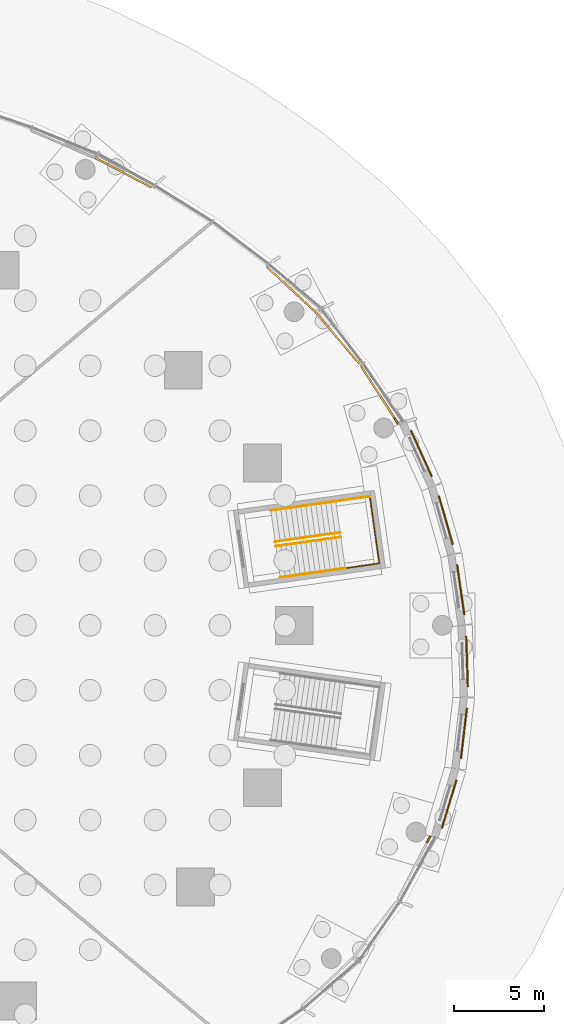
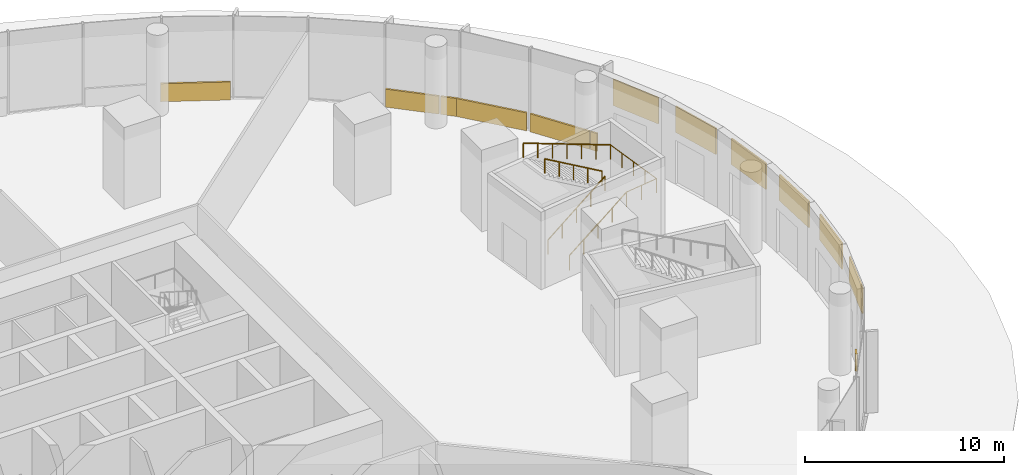
# One storey, part 28 of 29: 13 coverings, 5 railings.
"""IFC4 building model written with IfcOpenShell, lengths in metres."""

from ifc_helpers import new_model, si_unit, direction, frame, origin, origin_2d, place, context, subcontext, project, spatial, rectangle, circle, extrude, material, layer, layer_set, type_object, element, save


model = new_model("IFC4")

# Units and contexts
model_context = context("Model", 3, precision=1e-05, world=origin(), true_north=direction((0.0, 1.0)))
body_context = subcontext(model_context, "Body", "Model", "MODEL_VIEW")
ifc_project = project(units=[si_unit("LENGTHUNIT", "METRE"), si_unit("AREAUNIT", "SQUARE_METRE"), si_unit("VOLUMEUNIT", "CUBIC_METRE"), si_unit("PLANEANGLEUNIT", "RADIAN"), si_unit("MASSUNIT", "GRAM", prefix="KILO")], contexts=[model_context])

# Site, building, storey
site_placement = place(None, origin())
site = spatial("IfcSite", under=ifc_project, at=site_placement, CompositionType="ELEMENT")
building_placement = place(site_placement, origin())
building = spatial("IfcBuilding", under=site, at=building_placement, Name="Ghaith Harvest Tower", CompositionType="ELEMENT")
storey_placement = place(building_placement, origin())
storey = spatial("IfcBuildingStorey", under=building, at=storey_placement, Name="L00", CompositionType="ELEMENT", Elevation=0.0)

# Railings
ifc_material_1 = material(Name="Steel, black powder-coated", Category="steel")
railing_type = type_object("IfcRailingType", Name="HANDRAIL HR1", PredefinedType="HANDRAIL", material=ifc_material_1)
railing_1_placement = place(storey_placement, frame((31.8994140625, 4.39111328125, 0.178466796875)))
element("IfcRailing", 1, at=railing_1_placement, inside=storey, type_object=railing_type, Name="Handrail HR1 stair PS1 L00 flight 1 inner", PredefinedType="HANDRAIL", context=body_context, shape_type="SweptSolid", body=[
    extrude(circle(Radius=0.02392578125, at=origin_2d()), frame((0.0, 0.0, 0.8759765625), z_axis=(0.834784375855, 0.118245097542, 0.537729618615), x_axis=(-0.140247497288, 0.990116477746, 0.0)), (0.0, 0.0, 1.0), 4.3173828125),
    extrude(circle(Radius=0.02099609375, at=origin_2d()), origin(), (0.0, 0.0, 1.0), 0.851806640625),
    extrude(circle(Radius=0.02099609375, at=origin_2d()), frame((0.90087890625, 0.127685546875, 0.580322265625)), (0.0, 0.0, 1.0), 0.851806640625),
    extrude(circle(Radius=0.02099609375, at=origin_2d()), frame((1.802001953125, 0.25537109375, 1.16064453125)), (0.0, 0.0, 1.0), 0.851806640625),
    extrude(circle(Radius=0.02099609375, at=origin_2d()), frame((2.703125, 0.3828125, 1.7412109375)), (0.0, 0.0, 1.0), 0.851806640625),
    extrude(circle(Radius=0.02099609375, at=origin_2d()), frame((3.60400390625, 0.510498046875, 2.321533203125)), (0.0, 0.0, 1.0), 0.851806640625),
])
railing_2_placement = place(storey_placement, frame((35.468505859375, 5.14892578125, 2.678466796875)))
element("IfcRailing", 2, at=railing_2_placement, inside=storey, type_object=railing_type, Name="Handrail HR1 stair PS1 L00 flight 2 inner", PredefinedType="HANDRAIL", context=body_context, shape_type="SweptSolid", body=[
    extrude(circle(Radius=0.02392578125, at=origin_2d()), frame((0.0, 0.0, 0.8759765625), z_axis=(-0.834789956534, -0.118189338108, 0.537733213432), x_axis=(0.140181743649, -0.990125789356, 0.0)), (0.0, 0.0, 1.0), 4.317138671875),
    extrude(circle(Radius=0.02099609375, at=origin_2d()), origin(), (0.0, 0.0, 1.0), 0.851806640625),
    extrude(circle(Radius=0.02099609375, at=origin_2d()), frame((-0.90087890625, -0.12744140625, 0.580322265625)), (0.0, 0.0, 1.0), 0.851806640625),
    extrude(circle(Radius=0.02099609375, at=origin_2d()), frame((-1.802001953125, -0.255126953125, 1.16064453125)), (0.0, 0.0, 1.0), 0.851806640625),
    extrude(circle(Radius=0.02099609375, at=origin_2d()), frame((-2.703125, -0.3828125, 1.7412109375)), (0.0, 0.0, 1.0), 0.851806640625),
    extrude(circle(Radius=0.02099609375, at=origin_2d()), frame((-3.60400390625, -0.51025390625, 2.321533203125)), (0.0, 0.0, 1.0), 0.851806640625),
])
railing_3_placement = place(storey_placement, frame((32.144775390625, 2.658447265625, 0.178466796875)))
element("IfcRailing", 3, at=railing_3_placement, inside=storey, type_object=railing_type, Name="Handrail HR1 stair PS1 L00 wall side flight 1", PredefinedType="HANDRAIL", context=body_context, shape_type="SweptSolid", body=[
    extrude(circle(Radius=0.02392578125, at=origin_2d()), frame((0.0, 0.0, 0.8759765625), z_axis=(0.834789956534, 0.118189338108, 0.537733213432), x_axis=(-0.140181743649, 0.990125789356, 0.0)), (0.0, 0.0, 1.0), 4.317138671875),
    extrude(circle(Radius=0.02099609375, at=origin_2d()), origin(), (0.0, 0.0, 1.0), 0.851806640625),
    extrude(circle(Radius=0.02099609375, at=origin_2d()), frame((0.90087890625, 0.12744140625, 0.580322265625)), (0.0, 0.0, 1.0), 0.851806640625),
    extrude(circle(Radius=0.02099609375, at=origin_2d()), frame((1.802001953125, 0.255126953125, 1.16064453125)), (0.0, 0.0, 1.0), 0.851806640625),
    extrude(circle(Radius=0.02099609375, at=origin_2d()), frame((2.703125, 0.3828125, 1.7412109375)), (0.0, 0.0, 1.0), 0.851806640625),
    extrude(circle(Radius=0.02099609375, at=origin_2d()), frame((3.60400390625, 0.51025390625, 2.321533203125)), (0.0, 0.0, 1.0), 0.851806640625),
])
railing_4_placement = place(storey_placement, frame((35.748779296875, 3.168701171875, 2.5)))
element("IfcRailing", 4, at=railing_4_placement, inside=storey, type_object=railing_type, Name="Handrail HR1 stair PS1 L00 wall side half landing", PredefinedType="HANDRAIL", context=body_context, shape_type="SweptSolid", body=[
    extrude(circle(Radius=0.02392578125, at=origin_2d()), frame((0.0, 0.0, 0.8759765625), z_axis=(0.990120050938, 0.140222269026, 0.0), x_axis=(-0.140222269026, 0.990120050938, 0.0)), (0.0, 0.0, 1.0), 1.909912109375),
    extrude(circle(Radius=0.02392578125, at=origin_2d()), frame((1.89111328125, 0.267822265625, 0.8759765625), z_axis=(-0.140172516892, 0.990127095634, 0.0), x_axis=(-0.990127095634, -0.140172516892, 0.0)), (0.0, 0.0, 1.0), 3.75),
    extrude(circle(Radius=0.02099609375, at=origin_2d()), origin(), (0.0, 0.0, 1.0), 0.851806640625),
    extrude(circle(Radius=0.02099609375, at=origin_2d()), frame((0.945556640625, 0.1337890625, 0.0)), (0.0, 0.0, 1.0), 0.851806640625),
    extrude(circle(Radius=0.02099609375, at=origin_2d()), frame((1.89111328125, 0.267822265625, 0.0)), (0.0, 0.0, 1.0), 0.851806640625),
    extrude(circle(Radius=0.02099609375, at=origin_2d()), frame((1.759765625, 1.196044921875, 0.0)), (0.0, 0.0, 1.0), 0.851806640625),
    extrude(circle(Radius=0.02099609375, at=origin_2d()), frame((1.62841796875, 2.124267578125, 0.0)), (0.0, 0.0, 1.0), 0.851806640625),
    extrude(circle(Radius=0.02099609375, at=origin_2d()), frame((1.496826171875, 3.052490234375, 0.0)), (0.0, 0.0, 1.0), 0.851806640625),
    extrude(circle(Radius=0.02099609375, at=origin_2d()), frame((1.365478515625, 3.980712890625, 0.0)), (0.0, 0.0, 1.0), 0.851806640625),
])
railing_5_placement = place(storey_placement, frame((37.1142578125, 7.1494140625, 2.5)))
element("IfcRailing", 5, at=railing_5_placement, inside=storey, type_object=railing_type, Name="Handrail HR1 stair PS1 L00 wall side flight 2", PredefinedType="HANDRAIL", context=body_context, shape_type="SweptSolid", body=[
    extrude(circle(Radius=0.02392578125, at=origin_2d()), frame((0.0, 0.0, 0.8759765625), z_axis=(-0.902768440566, -0.127821005824, 0.410695669794), x_axis=(0.140189584289, -0.990124679248, 0.0)), (0.0, 0.0, 1.0), 6.087158203125),
    extrude(circle(Radius=0.02099609375, at=origin_2d()), origin(), (0.0, 0.0, 1.0), 0.851806640625),
    extrude(circle(Radius=0.02099609375, at=origin_2d()), frame((-0.916015625, -0.129638671875, 0.416748046875)), (0.0, 0.0, 1.0), 0.851806640625),
    extrude(circle(Radius=0.02099609375, at=origin_2d()), frame((-1.831787109375, -0.25927734375, 0.833251953125)), (0.0, 0.0, 1.0), 0.851806640625),
    extrude(circle(Radius=0.02099609375, at=origin_2d()), frame((-2.74755859375, -0.38916015625, 1.25)), (0.0, 0.0, 1.0), 0.851806640625),
    extrude(circle(Radius=0.02099609375, at=origin_2d()), frame((-3.66357421875, -0.518798828125, 1.666748046875)), (0.0, 0.0, 1.0), 0.851806640625),
    extrude(circle(Radius=0.02099609375, at=origin_2d()), frame((-4.57958984375, -0.6484375, 2.083251953125)), (0.0, 0.0, 1.0), 0.851806640625),
    extrude(circle(Radius=0.02099609375, at=origin_2d()), frame((-5.495361328125, -0.778076171875, 2.5)), (0.0, 0.0, 1.0), 0.851806640625),
])

# Coverings
ifc_material_2 = material(Name="Glassfibre-reinforced concrete relief panel", Category="concrete")
ifc_layer_1 = layer(ifc_material_2, 0.080078125)
ifc_layer_set_1 = layer_set([ifc_layer_1], Name="RELIEF PANEL 2800x1600")
covering_type_1 = type_object("IfcCoveringType", Name="RELIEF PANEL 2800x1600", PredefinedType="CLADDING", material=ifc_layer_set_1)
for number, where, z_axis, x_axis, name in (
    (6, (42.156005859375, 1.96923828125, 2.800048828125), (0.0, 0.0, 1.0), (-0.14348779141, 0.989652087209, 0.0), "Relief panel 01.1"),
    (7, (41.326416015625, 5.83935546875, 2.800048828125), (0.0, 0.0, 1.0), (-0.276417640486, 0.961037610101, 0.0), "Relief panel 01.2"),
    (8, (39.970458984375, 9.529052734375, 2.800048828125), (0.0, 0.0, 1.0), (-0.413848248401, 0.91034588333, 0.0), "Relief panel 01.3"),
    (9, (41.514892578125, -9.910400390625, 2.800048828125), (0.0, 0.0, 1.0), (0.288750767602, 0.957404300288, 0.0), "Relief panel 20.1"),
    (10, (42.33056640625, -5.99658203125, 2.800048828125), (0.0, 0.0, 1.0), (0.117919457345, 0.99302316266, 0.0), "Relief panel 20.2"),
    (11, (42.50390625, -2.001953125, 2.800048828125), (0.0, 0.0, 1.0), (-0.032203428433, 0.999481335092, 0.0), "Relief panel 20.3"),
):
    element("IfcCovering", number, at=place(storey_placement, frame(where, z_axis=z_axis, x_axis=x_axis)), inside=storey, type_object=covering_type_1, Name=name, PredefinedType="CLADDING", context=body_context, shape_type="SweptSolid", body=[
        extrude(rectangle(XDim=2.800048828125, YDim=0.080078125, at=origin_2d()), origin(), (0.0, 0.0, 1.0), 1.60009765625),
    ])
ifc_material_3 = material(Name="Insulated aluminium spandrel panel on steel framing", Category="steel")
ifc_layer_2 = layer(ifc_material_3, 0.10009765625)
ifc_layer_set_2 = layer_set([ifc_layer_2], Name="SLAB EDGE UPSTAND 1100x100")
covering_type_2 = type_object("IfcCoveringType", Name="SLAB EDGE UPSTAND 1100x100", PredefinedType="CLADDING", material=ifc_layer_set_2)
covering_1_placement = place(storey_placement, frame((38.59033203125, 11.330810546875, 0.0), z_axis=(0.0, 0.0, 1.0), x_axis=(-0.540681780741, 0.841227205917, 0.0)))
element("IfcCovering", 12, at=covering_1_placement, inside=storey, type_object=covering_type_2, Name="Slab edge upstand 1 bay 02 L00", PredefinedType="CLADDING", context=body_context, shape_type="SweptSolid", body=[
    extrude(rectangle(XDim=0.385498046875, YDim=0.10009765625, at=origin_2d()), origin(), (0.0, 0.0, 1.0), 1.10009765625),
])
covering_2_placement = place(storey_placement, frame((37.548095703125, 12.952392578125, 0.0), z_axis=(0.0, 0.0, 1.0), x_axis=(-0.540681780741, 0.841227205917, 0.0)))
element("IfcCovering", 13, at=covering_2_placement, inside=storey, type_object=covering_type_2, Name="Slab edge upstand 1 bay 02 L00", PredefinedType="CLADDING", context=body_context, shape_type="SweptSolid", body=[
    extrude(rectangle(XDim=3.367431640625, YDim=0.10009765625, at=origin_2d()), origin(), (0.0, 0.0, 1.0), 1.10009765625),
])
covering_3_placement = place(storey_placement, frame((35.311767578125, 15.951416015625, 0.0), z_axis=(0.0, 0.0, 1.0), x_axis=(-0.64698267816, 0.762504697796, 0.0)))
element("IfcCovering", 14, at=covering_3_placement, inside=storey, type_object=covering_type_2, Name="Slab edge upstand 2 bay 02 L00", PredefinedType="CLADDING", context=body_context, shape_type="SweptSolid", body=[
    extrude(rectangle(XDim=3.744140625, YDim=0.10009765625, at=origin_2d()), origin(), (0.0, 0.0, 1.0), 1.10009765625),
])
covering_4_placement = place(storey_placement, frame((33.80419921875, 17.65478515625, 0.0), z_axis=(0.0, 0.0, 1.0), x_axis=(-0.731136860441, 0.682230819668, 0.0)))
element("IfcCovering", 15, at=covering_4_placement, inside=storey, type_object=covering_type_2, Name="Slab edge upstand 3 bay 02 L00", PredefinedType="CLADDING", context=body_context, shape_type="SweptSolid", body=[
    extrude(rectangle(XDim=0.821044921875, YDim=0.10009765625, at=origin_2d()), origin(), (0.0, 0.0, 1.0), 1.10009765625),
])
covering_5_placement = place(storey_placement, frame((32.435791015625, 18.931640625, 0.0), z_axis=(0.0, 0.0, 1.0), x_axis=(-0.731136860441, 0.682230819668, 0.0)))
element("IfcCovering", 16, at=covering_5_placement, inside=storey, type_object=covering_type_2, Name="Slab edge upstand 3 bay 02 L00", PredefinedType="CLADDING", context=body_context, shape_type="SweptSolid", body=[
    extrude(rectangle(XDim=2.755859375, YDim=0.10009765625, at=origin_2d()), origin(), (0.0, 0.0, 1.0), 1.10009765625),
])
covering_6_placement = place(storey_placement, frame((23.438720703125, 25.116455078125, 0.0), z_axis=(0.0, 0.0, 1.0), x_axis=(-0.887346362731, 0.4611034944, 0.0)))
element("IfcCovering", 17, at=covering_6_placement, inside=storey, type_object=covering_type_2, Name="Slab edge upstand 3 bay 03 L00", PredefinedType="CLADDING", context=body_context, shape_type="SweptSolid", body=[
    extrude(rectangle(XDim=3.51708984375, YDim=0.10009765625, at=origin_2d()), origin(), (0.0, 0.0, 1.0), 1.10009765625),
])
covering_7_placement = place(storey_placement, frame((40.377197265625, -11.8642578125, 0.0), z_axis=(0.0, 0.0, 1.0), x_axis=(0.458352603838, 0.888770437489, 0.0)))
element("IfcCovering", 18, at=covering_7_placement, inside=storey, type_object=covering_type_2, Name="Slab edge upstand 3 bay 19 L00", PredefinedType="CLADDING", context=body_context, shape_type="SweptSolid", body=[
    extrude(rectangle(XDim=0.400390625, YDim=0.10009765625, at=origin_2d()), origin(), (0.0, 0.0, 1.0), 1.10009765625),
])

save(model, "model.ifc")
